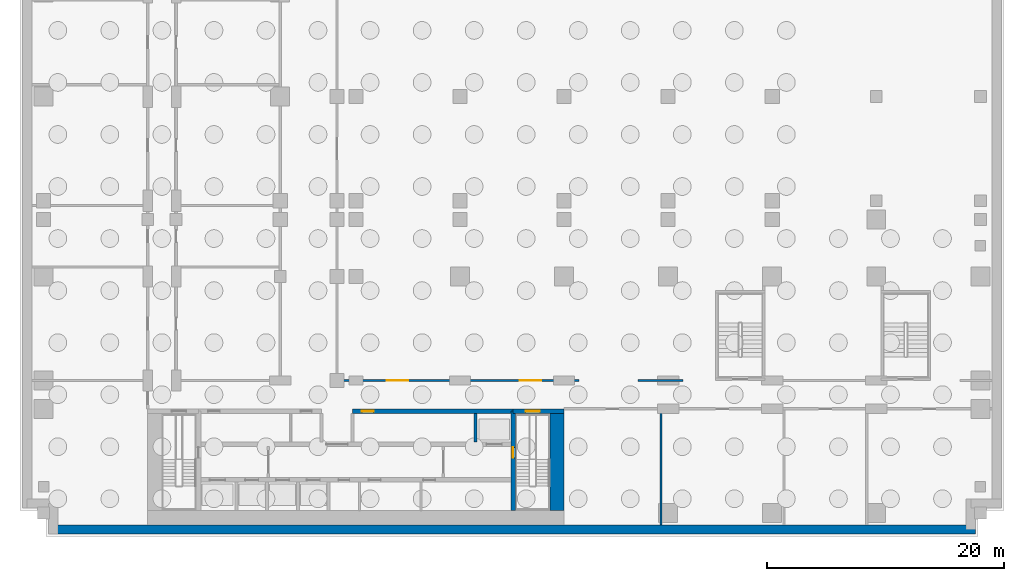
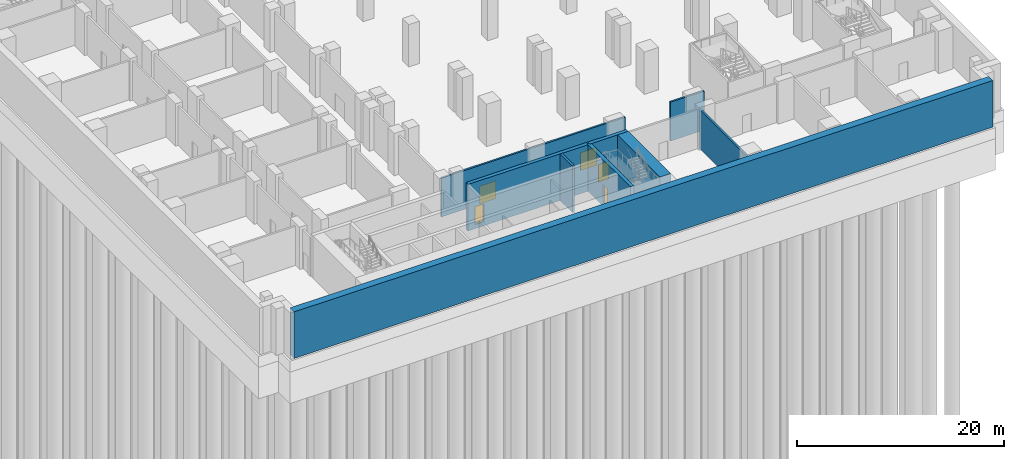
# One storey, part 4 of 14: 9 walls, 5 doors, 5 openings.
"""IFC4 building model written with IfcOpenShell, lengths in metres."""

from ifc_helpers import new_model, si_unit, direction, frame, frame_2d, origin, place, context, subcontext, project, spatial, rectangle, extrude, material, layer, layer_set, type_object, element, fill, save


model = new_model("IFC4")

# Units and contexts
model_context = context("Model", 3, precision=1e-05, world=origin(), true_north=direction((0.0, 1.0)))
body_context = subcontext(model_context, "Body", "Model", "MODEL_VIEW")
ifc_project = project(units=[si_unit("LENGTHUNIT", "METRE"), si_unit("AREAUNIT", "SQUARE_METRE"), si_unit("VOLUMEUNIT", "CUBIC_METRE"), si_unit("PLANEANGLEUNIT", "RADIAN"), si_unit("MASSUNIT", "GRAM", prefix="KILO")], contexts=[model_context])

# Site, building, storey
site_placement = place(None, origin())
site = spatial("IfcSite", under=ifc_project, at=site_placement, CompositionType="ELEMENT")
building_placement = place(site_placement, origin())
building = spatial("IfcBuilding", under=site, at=building_placement, Name="Kemantara Hotel Tower", CompositionType="ELEMENT")
storey_placement = place(building_placement, frame((0.0, 0.0, -17.0)))
storey = spatial("IfcBuildingStorey", under=building, at=storey_placement, Name="B3", CompositionType="ELEMENT", Elevation=-17.0)

# Walls
ifc_material_1 = material(Name="Concrete fc 40 MPa", Category="concrete")
ifc_layer_1 = layer(ifc_material_1, 0.800048828125)
ifc_layer_set_1 = layer_set([ifc_layer_1], Name="Concrete fc 40 MPa")
wall_type_1 = type_object("IfcWallType", Name="BASEMENT PERIMETER WALL 800 FC40", PredefinedType="SHEAR", material=ifc_layer_set_1)
wall_1_placement = place(storey_placement, frame((79.800048828125, -0.39990234375, -0.5), z_axis=(0.0, 0.0, 1.0), x_axis=(-1.0, 0.0, 0.0)))
element("IfcWall", 1, at=wall_1_placement, inside=storey, type_object=wall_type_1, Name="BASEMENT PERIMETER WALL B3 4", PredefinedType="SHEAR", context=body_context, shape_type="SweptSolid", body=[
    extrude(rectangle(XDim=78.0, YDim=0.800048828125, at=frame_2d((39.0, 0.0))), origin(), (0.0, 0.0, 1.0), 5.5),
])
ifc_material_2 = material(Name="Concrete fc 70 MPa", Category="concrete")
ifc_layer_2 = layer(ifc_material_2, 1.199951171875)
ifc_layer_set_2 = layer_set([ifc_layer_2], Name="Concrete fc 70 MPa")
wall_type_2 = type_object("IfcWallType", Name="CORE WALL 1200 FC70", PredefinedType="SHEAR", material=ifc_layer_set_2)
wall_2_placement = place(storey_placement, frame((44.39990234375, 1.199951171875, -0.5), z_axis=(0.0, 0.0, 1.0), x_axis=(0.0, 1.0, 0.0)))
element("IfcWall", 2, at=wall_2_placement, inside=storey, type_object=wall_type_2, Name="CORE WALL CW-E", PredefinedType="SHEAR", context=body_context, shape_type="SweptSolid", body=[
    extrude(rectangle(XDim=8.60009765625, YDim=1.199951171875, at=frame_2d((4.300048828125, 0.0))), origin(), (0.0, 0.0, 1.0), 5.5),
])
ifc_layer_3 = layer(ifc_material_2, 0.25)
ifc_layer_set_3 = layer_set([ifc_layer_3], Name="Concrete fc 70 MPa")
wall_type_3 = type_object("IfcWallType", Name="CORE WALL 250 FC70", PredefinedType="SHEAR", material=ifc_layer_set_3)
wall_3_placement = place(storey_placement, frame((37.5, 7.0, -0.5), z_axis=(0.0, 0.0, 1.0), x_axis=(0.0, 1.0, 0.0)))
element("IfcWall", 3, at=wall_3_placement, inside=storey, type_object=wall_type_3, Name="CORE WALL CW-DN37.5", PredefinedType="SHEAR", context=body_context, shape_type="SweptSolid", body=[
    extrude(rectangle(XDim=2.39990234375, YDim=0.25, at=frame_2d((1.199951171875, 0.0))), origin(), (0.0, 0.0, 1.0), 5.5),
])

# Wall, opening, door
ifc_layer_4 = layer(ifc_material_2, 0.39990234375)
ifc_layer_set_4 = layer_set([ifc_layer_4], Name="Concrete fc 70 MPa")
wall_type_4 = type_object("IfcWallType", Name="CORE WALL 400 FC70", PredefinedType="SHEAR", material=ifc_layer_set_4)
wall_4_placement = place(storey_placement, frame((40.699951171875, 9.60009765625, -0.5), z_axis=(0.0, 0.0, 1.0), x_axis=(1.0, 0.0, 0.0)))
wall_4 = element("IfcWall", 4, at=wall_4_placement, inside=storey, type_object=wall_type_4, Name="CORE WALL CW-N2", PredefinedType="SHEAR", context=body_context, shape_type="SweptSolid", body=[
    extrude(rectangle(XDim=4.300048828125, YDim=0.39990234375, at=frame_2d((2.14990234375, 0.0))), origin(), (0.0, 0.0, 1.0), 5.5),
])
opening_1_placement = place(wall_4_placement, frame((1.050048828125, 0.0, 0.5)))
opening_1 = element("IfcOpeningElement", 5, at=opening_1_placement, cuts=wall_4, Name="Opening C00-ST2-C", PredefinedType="OPENING", context=body_context, shape_type="SweptSolid", body=[
    extrude(rectangle(XDim=1.199951171875, YDim=2.10009765625, at=frame_2d((0.60009765625, 1.050048828125))), frame((0.0, 0.2099609375, 0.0), z_axis=(0.0, -1.0, 0.0), x_axis=(1.0, 0.0, 0.0)), (0.0, 0.0, 1.0), 0.419921875),
])
ifc_material_3 = material(Name="Steel fire door", Category="steel")
door_type_1 = type_object("IfcDoorType", Name="Fire door FD90 1200 x 2100", OperationType="NOTDEFINED", PredefinedType="DOOR", material=ifc_material_3)
door_1_placement = place(opening_1_placement, frame((1.199951171875, 0.0, 0.0), z_axis=(0.0, 0.0, 1.0), x_axis=(-1.0, 0.0, 0.0)))
door_1 = element("IfcDoor", 6, at=door_1_placement, inside=storey, type_object=door_type_1, Name="Stair ST2 door to corridor", OperationType="SINGLE_SWING_RIGHT", OverallHeight=2.10009765625, OverallWidth=1.199951171875, PredefinedType="DOOR", context=body_context, shape_type="SweptSolid", body=[
    extrude(rectangle(XDim=1.199951171875, YDim=2.10009765625, at=frame_2d((0.60009765625, 1.050048828125))), frame((0.0, 0.02490234375, 0.0), z_axis=(0.0, -1.0, 0.0), x_axis=(1.0, 0.0, 0.0)), (0.0, 0.0, 1.0), 0.050048828125),
])
fill(opening_1, door_1)

wall_5_placement = place(storey_placement, frame((27.10009765625, 9.60009765625, -0.5), z_axis=(0.0, 0.0, 1.0), x_axis=(1.0, 0.0, 0.0)))
wall_5 = element("IfcWall", 7, at=wall_5_placement, inside=storey, type_object=wall_type_4, Name="CORE WALL CW-NN2", PredefinedType="SHEAR", context=body_context, shape_type="SweptSolid", body=[
    extrude(rectangle(XDim=13.599853515625, YDim=0.39990234375, at=frame_2d((6.7998046875, 0.0))), origin(), (0.0, 0.0, 1.0), 5.5),
])
opening_2_placement = place(wall_5_placement, frame((0.800048828125, 0.0, 0.5)))
opening_2 = element("IfcOpeningElement", 8, at=opening_2_placement, cuts=wall_5, Name="Opening C00-R-NE1", PredefinedType="OPENING", context=body_context, shape_type="SweptSolid", body=[
    extrude(rectangle(XDim=1.0, YDim=2.10009765625, at=frame_2d((0.5, 1.050048828125))), frame((0.0, 0.2099609375, 0.0), z_axis=(0.0, -1.0, 0.0), x_axis=(1.0, 0.0, 0.0)), (0.0, 0.0, 1.0), 0.419921875),
])
door_type_2 = type_object("IfcDoorType", Name="Fire door FD60 1000 x 2100", OperationType="NOTDEFINED", PredefinedType="DOOR", material=ifc_material_3)
door_2_placement = place(opening_2_placement, frame((1.0, 0.0, 0.0), z_axis=(0.0, 0.0, 1.0), x_axis=(-1.0, 0.0, 0.0)))
door_2 = element("IfcDoor", 9, at=door_2_placement, inside=storey, type_object=door_type_2, Name="Lv Switch Room door", OperationType="SINGLE_SWING_RIGHT", OverallHeight=2.10009765625, OverallWidth=1.0, PredefinedType="DOOR", context=body_context, shape_type="SweptSolid", body=[
    extrude(rectangle(XDim=1.0, YDim=2.10009765625, at=frame_2d((0.5, 1.050048828125))), frame((0.0, 0.02490234375, 0.0), z_axis=(0.0, -1.0, 0.0), x_axis=(1.0, 0.0, 0.0)), (0.0, 0.0, 1.0), 0.050048828125),
])
fill(opening_2, door_2)

wall_6_placement = place(storey_placement, frame((40.699951171875, 1.199951171875, -0.5), z_axis=(0.0, 0.0, 1.0), x_axis=(0.0, 1.0, 0.0)))
wall_6 = element("IfcWall", 10, at=wall_6_placement, inside=storey, type_object=wall_type_4, Name="CORE WALL CW-ST2W", PredefinedType="SHEAR", context=body_context, shape_type="SweptSolid", body=[
    extrude(rectangle(XDim=8.400146484375, YDim=0.39990234375, at=frame_2d((4.2001953125, 0.0))), origin(), (0.0, 0.0, 1.0), 5.5),
])
opening_3_placement = place(wall_6_placement, frame((4.449951171875, 0.0, 0.5)))
opening_3 = element("IfcOpeningElement", 11, at=opening_3_placement, cuts=wall_6, Name="Opening C00-ST2-F", PredefinedType="OPENING", context=body_context, shape_type="SweptSolid", body=[
    extrude(rectangle(XDim=0.89990234375, YDim=2.10009765625, at=frame_2d((0.449951171875, 1.050048828125))), frame((0.0, 0.2099609375, 0.0), z_axis=(0.0, -1.0, 0.0), x_axis=(1.0, 0.0, 0.0)), (0.0, 0.0, 1.0), 0.419921875),
])
door_type_3 = type_object("IfcDoorType", Name="Fire door FD90 900 x 2100", OperationType="NOTDEFINED", PredefinedType="DOOR", material=ifc_material_3)
door_3_placement = place(opening_3_placement, frame((0.89990234375, 0.0, 0.0), z_axis=(0.0, 0.0, 1.0), x_axis=(-1.0, 0.0, 0.0)))
door_3 = element("IfcDoor", 12, at=door_3_placement, inside=storey, type_object=door_type_3, Name="Stair ST2 door to firefighting lobby", OperationType="SINGLE_SWING_LEFT", OverallHeight=2.10009765625, OverallWidth=0.89990234375, PredefinedType="DOOR", context=body_context, shape_type="SweptSolid", body=[
    extrude(rectangle(XDim=0.89990234375, YDim=2.10009765625, at=frame_2d((0.449951171875, 1.050048828125))), frame((0.0, 0.02490234375, 0.0), z_axis=(0.0, -1.0, 0.0), x_axis=(1.0, 0.0, 0.0)), (0.0, 0.0, 1.0), 0.050048828125),
])
fill(opening_3, door_3)

# Wall
ifc_material_4 = material(Name="Clay brick masonry", Category="masonry")
ifc_layer_5 = layer(ifc_material_4, 0.199951171875)
ifc_layer_set_5 = layer_set([ifc_layer_5], Name="Clay brick masonry")
wall_type_5 = type_object("IfcWallType", Name="FIRE-RATED CLAY BRICK WALL 200 EI 120", PredefinedType="PARTITIONING", material=ifc_layer_set_5)
wall_7_placement = place(storey_placement, frame((53.199951171875, 0.0, 0.0), z_axis=(0.0, 0.0, 1.0), x_axis=(0.0, 1.0, 0.0)))
element("IfcWall", 13, at=wall_7_placement, inside=storey, type_object=wall_type_5, Name="FIRE WALL", PredefinedType="PARTITIONING", context=body_context, shape_type="SweptSolid", body=[
    extrude(rectangle(XDim=9.699951171875, YDim=0.199951171875, at=frame_2d((4.85009765625, 0.0))), origin(), (0.0, 0.0, 1.0), 4.60009765625),
])

# Wall, openings, doors
ifc_material_5 = material(Name="Fire-rated gypsum board partition")
ifc_layer_6 = layer(ifc_material_5, 0.199951171875)
ifc_layer_set_6 = layer_set([ifc_layer_6], Name="Fire-rated gypsum board partition")
wall_type_6 = type_object("IfcWallType", Name="FIRE-RATED GYPSUM PARTITION 200 EI 60", PredefinedType="PARTITIONING", material=ifc_layer_set_6)
wall_8_placement = place(storey_placement, frame((25.699951171875, 12.199951171875, 0.0), z_axis=(0.0, 0.0, 1.0), x_axis=(1.0, 0.0, 0.0)))
wall_8 = element("IfcWall", 14, at=wall_8_placement, inside=storey, type_object=wall_type_6, Name="FIRE-RATED PARTITION", PredefinedType="PARTITIONING", context=body_context, shape_type="SweptSolid", body=[
    extrude(rectangle(XDim=20.550048828125, YDim=0.199951171875, at=frame_2d((10.27490234375, 0.0))), origin(), (0.0, 0.0, 1.0), 4.60009765625),
])
opening_4_placement = place(wall_8_placement, frame((4.3125, 0.0, 0.0)))
opening_4 = element("IfcOpeningElement", 15, at=opening_4_placement, cuts=wall_8, Name="Opening B3-B023", PredefinedType="OPENING", context=body_context, shape_type="SweptSolid", body=[
    extrude(rectangle(XDim=1.800048828125, YDim=2.10009765625, at=frame_2d((0.89990234375, 1.050048828125))), frame((0.0, 0.10986328125, 0.0), z_axis=(0.0, -1.0, 0.0), x_axis=(1.0, 0.0, 0.0)), (0.0, 0.0, 1.0), 0.219970703125),
])
opening_5_placement = place(wall_8_placement, frame((15.56005859375, 0.0, 0.0)))
opening_5 = element("IfcOpeningElement", 16, at=opening_5_placement, cuts=wall_8, Name="Opening B3-B024", PredefinedType="OPENING", context=body_context, shape_type="SweptSolid", body=[
    extrude(rectangle(XDim=1.800048828125, YDim=2.10009765625, at=frame_2d((0.89990234375, 1.050048828125))), frame((0.0, 0.10986328125, 0.0), z_axis=(0.0, -1.0, 0.0), x_axis=(1.0, 0.0, 0.0)), (0.0, 0.0, 1.0), 0.219970703125),
])
ifc_material_6 = material(Name="Galvanised steel door leaf", Category="steel")
door_type_4 = type_object("IfcDoorType", Name="FIRE-RATED STEEL DOOR DOUBLE LEAF 1800 X 2100", OperationType="DOUBLE_DOOR_SINGLE_SWING", PredefinedType="DOOR", material=ifc_material_6)
door_4_placement = place(opening_4_placement, origin())
door_4 = element("IfcDoor", 17, at=door_4_placement, inside=storey, type_object=door_type_4, Name="FIRE-RATED STEEL DOOR DOUBLE LEAF", OperationType="DOUBLE_DOOR_SINGLE_SWING", OverallHeight=2.10009765625, OverallWidth=1.800048828125, PredefinedType="DOOR", context=body_context, shape_type="SweptSolid", body=[
    extrude(rectangle(XDim=1.800048828125, YDim=2.10009765625, at=frame_2d((0.89990234375, 1.050048828125))), frame((0.0, 0.02490234375, 0.0), z_axis=(0.0, -1.0, 0.0), x_axis=(1.0, 0.0, 0.0)), (0.0, 0.0, 1.0), 0.050048828125),
])
fill(opening_4, door_4)
door_5_placement = place(opening_5_placement, origin())
door_5 = element("IfcDoor", 18, at=door_5_placement, inside=storey, type_object=door_type_4, Name="FIRE-RATED STEEL DOOR DOUBLE LEAF", OperationType="DOUBLE_DOOR_SINGLE_SWING", OverallHeight=2.10009765625, OverallWidth=1.800048828125, PredefinedType="DOOR", context=body_context, shape_type="SweptSolid", body=[
    extrude(rectangle(XDim=1.800048828125, YDim=2.10009765625, at=frame_2d((0.89990234375, 1.050048828125))), frame((0.0, 0.02490234375, 0.0), z_axis=(0.0, -1.0, 0.0), x_axis=(1.0, 0.0, 0.0)), (0.0, 0.0, 1.0), 0.050048828125),
])
fill(opening_5, door_5)

# Wall
wall_9_placement = place(storey_placement, frame((51.25, 12.199951171875, 0.0), z_axis=(0.0, 0.0, 1.0), x_axis=(1.0, 0.0, 0.0)))
element("IfcWall", 19, at=wall_9_placement, inside=storey, type_object=wall_type_6, Name="FIRE-RATED PARTITION", PredefinedType="PARTITIONING", context=body_context, shape_type="SweptSolid", body=[
    extrude(rectangle(XDim=3.800048828125, YDim=0.199951171875, at=frame_2d((1.89990234375, 0.0))), origin(), (0.0, 0.0, 1.0), 4.60009765625),
])

save(model, "model.ifc")
